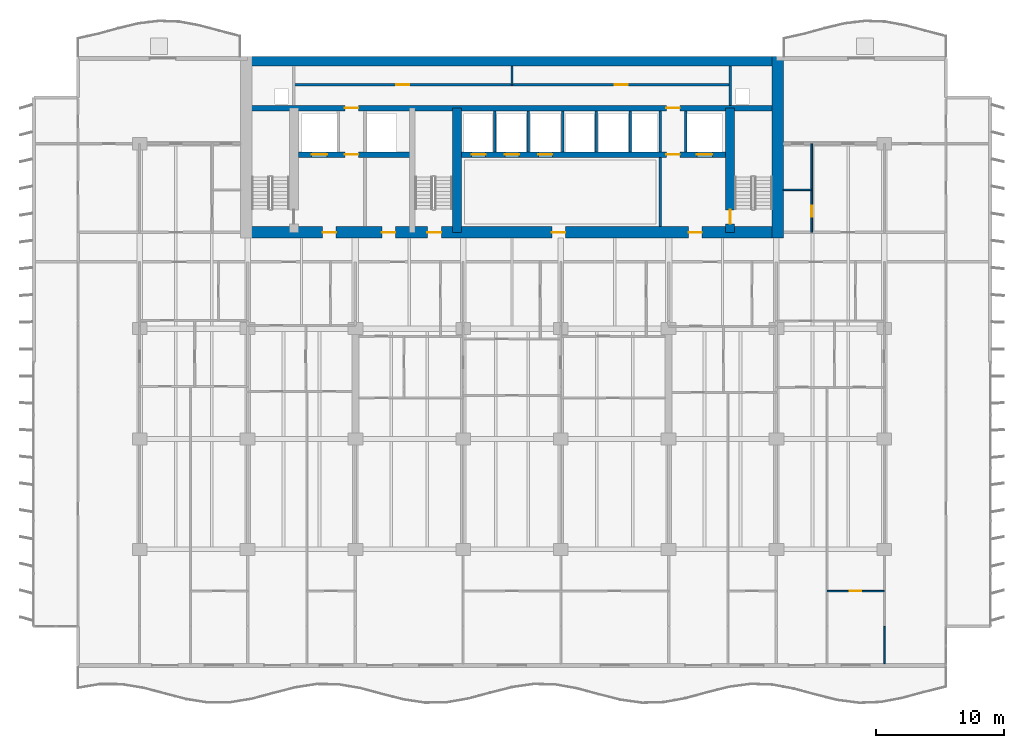
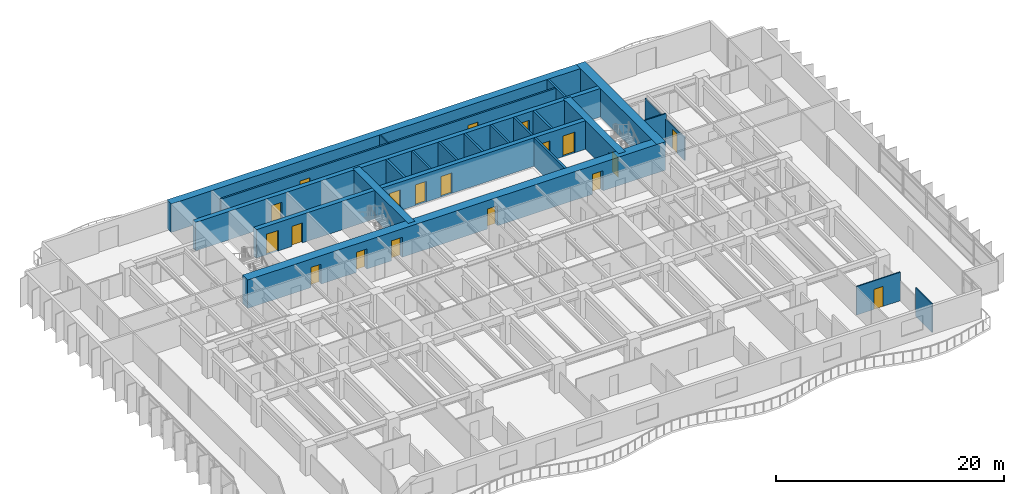
# One storey, part 11 of 17: 22 walls, 19 doors, 19 openings.
"""IFC4 building model written with IfcOpenShell, lengths in metres."""

from ifc_helpers import new_model, si_unit, direction, frame, frame_2d, origin, place, context, subcontext, project, spatial, rectangle, extrude, material, layer, layer_set, type_object, element, fill, save


model = new_model("IFC4")

# Units and contexts
model_context = context("Model", 3, precision=1e-05, world=origin(), true_north=direction((0.0, 1.0)))
body_context = subcontext(model_context, "Body", "Model", "MODEL_VIEW")
ifc_project = project(units=[si_unit("LENGTHUNIT", "METRE"), si_unit("AREAUNIT", "SQUARE_METRE"), si_unit("VOLUMEUNIT", "CUBIC_METRE"), si_unit("PLANEANGLEUNIT", "RADIAN"), si_unit("MASSUNIT", "GRAM", prefix="KILO")], contexts=[model_context])

# Site, building, storey
site_placement = place(None, origin())
site = spatial("IfcSite", under=ifc_project, at=site_placement, CompositionType="ELEMENT")
building_placement = place(site_placement, origin())
building = spatial("IfcBuilding", under=site, at=building_placement, Name="Caelmar Bay Residences", CompositionType="ELEMENT")
storey_placement = place(building_placement, frame((0.0, 0.0, 49.800048828125)))
storey = spatial("IfcBuildingStorey", under=building, at=storey_placement, Name="L12", CompositionType="ELEMENT", Elevation=49.800048828125)

# Wall, opening, door
ifc_material_1 = material(Name="Concrete f'c 55 MPa (8,000 psi)", Category="concrete")
ifc_layer_1 = layer(ifc_material_1, 0.699951171875)
ifc_layer_set_1 = layer_set([ifc_layer_1], Name="Concrete f'c 55 MPa (8,000 psi)")
wall_type_1 = type_object("IfcWallType", Name="SW-COR-700", PredefinedType="SHEAR", material=ifc_layer_set_1)
wall_1_placement = place(storey_placement, frame((55.89990234375, 36.89990234375, 0.0), z_axis=(0.0, 0.0, 1.0), x_axis=(0.0, 1.0, 0.0)))
wall_1 = element("IfcWall", 1, at=wall_1_placement, inside=storey, type_object=wall_type_1, Name="L12 Core Structural Web Wall ST2W", PredefinedType="SHEAR", context=body_context, shape_type="SweptSolid", body=[
    extrude(rectangle(XDim=9.675048828125, YDim=0.699951171875, at=frame_2d((4.83740234375, 0.0))), origin(), (0.0, 0.0, 1.0), 3.050048828125),
])
opening_1_placement = place(wall_1_placement, frame((0.64990234375, 0.0, 0.0)))
opening_1 = element("IfcOpeningElement", 2, at=opening_1_placement, cuts=wall_1, Name="Opening D-L12-111", PredefinedType="OPENING", context=body_context, shape_type="SweptSolid", body=[
    extrude(rectangle(XDim=1.10009765625, YDim=2.14990234375, at=frame_2d((0.550048828125, 1.074951171875))), frame((0.0, 0.35986328125, 0.0), z_axis=(0.0, -1.0, 0.0), x_axis=(1.0, 0.0, 0.0)), (0.0, 0.0, 1.0), 0.719970703125),
])
ifc_material_2 = material(Name="Fire-rated steel and walnut architectural door assembly", Category="steel")
ifc_layer_2 = layer(ifc_material_2, 0.050048828125)
ifc_layer_set_2 = layer_set([ifc_layer_2], Name="Fire-rated steel and walnut architectural door assembly")
door_type_1 = type_object("IfcDoorType", Name="D-STAIR-1100", OperationType="NOTDEFINED", PredefinedType="DOOR", material=ifc_layer_set_2)
door_1_placement = place(opening_1_placement, origin())
door_1 = element("IfcDoor", 3, at=door_1_placement, inside=storey, type_object=door_type_1, Name="L12 Firefighting Lobby East Door", OperationType="SINGLE_SWING_RIGHT", OverallHeight=2.14990234375, OverallWidth=1.10009765625, PredefinedType="DOOR", context=body_context, shape_type="SweptSolid", body=[
    extrude(rectangle(XDim=1.10009765625, YDim=2.14990234375, at=frame_2d((0.550048828125, 1.074951171875))), frame((0.0, 0.02490234375, 0.0), z_axis=(0.0, -1.0, 0.0), x_axis=(1.0, 0.0, 0.0)), (0.0, 0.0, 1.0), 0.050048828125),
])
fill(opening_1, door_1)

# Wall
wall_2_placement = place(storey_placement, frame((34.60009765625, 36.89990234375, 0.0), z_axis=(0.0, 0.0, 1.0), x_axis=(0.0, 1.0, 0.0)))
element("IfcWall", 4, at=wall_2_placement, inside=storey, type_object=wall_type_1, Name="L12 Core Structural Web Wall ST3E", PredefinedType="SHEAR", context=body_context, shape_type="SweptSolid", body=[
    extrude(rectangle(XDim=9.675048828125, YDim=0.699951171875, at=frame_2d((4.83740234375, 0.0))), origin(), (0.0, 0.0, 1.0), 3.050048828125),
])

# Wall, openings, doors
ifc_material_3 = material(Name="Concrete f'c 70 MPa (10,000 psi)", Category="concrete")
ifc_layer_3 = layer(ifc_material_3, 0.89990234375)
ifc_layer_set_3 = layer_set([ifc_layer_3], Name="Concrete f'c 70 MPa (10,000 psi)")
wall_type_2 = type_object("IfcWallType", Name="SW-COR-900", PredefinedType="SHEAR", material=ifc_layer_set_3)
wall_3_placement = place(storey_placement, frame((17.75, 36.89990234375, 0.0), z_axis=(0.0, 0.0, 1.0), x_axis=(1.0, 0.0, 0.0)))
wall_3 = element("IfcWall", 5, at=wall_3_placement, inside=storey, type_object=wall_type_2, Name="L12 Rear Core South Shear Wall", PredefinedType="SHEAR", context=body_context, shape_type="SweptSolid", body=[
    extrude(rectangle(XDim=42.300048828125, YDim=0.89990234375, at=frame_2d((21.14990234375, 0.0))), origin(), (0.0, 0.0, 1.0), 3.050048828125),
])
opening_2_placement = place(wall_3_placement, frame((14.550048828125, 0.0, 0.0)))
opening_2 = element("IfcOpeningElement", 6, at=opening_2_placement, cuts=wall_3, Name="Opening D-L12-106", PredefinedType="OPENING", context=body_context, shape_type="SweptSolid", body=[
    extrude(rectangle(XDim=1.10009765625, YDim=2.14990234375, at=frame_2d((0.550048828125, 1.074951171875))), frame((0.0, 0.4599609375, 0.0), z_axis=(0.0, -1.0, 0.0), x_axis=(1.0, 0.0, 0.0)), (0.0, 0.0, 1.0), 0.919921875),
])
opening_3_placement = place(wall_3_placement, frame((6.39990234375, 0.0, 0.0)))
opening_3 = element("IfcOpeningElement", 7, at=opening_3_placement, cuts=wall_3, Name="Opening D-L12-107", PredefinedType="OPENING", context=body_context, shape_type="SweptSolid", body=[
    extrude(rectangle(XDim=1.050048828125, YDim=2.14990234375, at=frame_2d((0.52490234375, 1.074951171875))), frame((0.0, 0.4599609375, 0.0), z_axis=(0.0, -1.0, 0.0), x_axis=(1.0, 0.0, 0.0)), (0.0, 0.0, 1.0), 0.919921875),
])
opening_4_placement = place(wall_3_placement, frame((34.89990234375, 0.0, 0.0)))
opening_4 = element("IfcOpeningElement", 8, at=opening_4_placement, cuts=wall_3, Name="Opening D-L12-110", PredefinedType="OPENING", context=body_context, shape_type="SweptSolid", body=[
    extrude(rectangle(XDim=1.050048828125, YDim=2.14990234375, at=frame_2d((0.52490234375, 1.074951171875))), frame((0.0, 0.4599609375, 0.0), z_axis=(0.0, -1.0, 0.0), x_axis=(1.0, 0.0, 0.0)), (0.0, 0.0, 1.0), 0.919921875),
])
opening_5_placement = place(wall_3_placement, frame((11.012451171875, 0.0, 0.0)))
opening_5 = element("IfcOpeningElement", 9, at=opening_5_placement, cuts=wall_3, Name="Opening D-L12-113", PredefinedType="OPENING", context=body_context, shape_type="SweptSolid", body=[
    extrude(rectangle(XDim=1.050048828125, YDim=2.14990234375, at=frame_2d((0.52490234375, 1.074951171875))), frame((0.0, 0.4599609375, 0.0), z_axis=(0.0, -1.0, 0.0), x_axis=(1.0, 0.0, 0.0)), (0.0, 0.0, 1.0), 0.919921875),
])
opening_6_placement = place(wall_3_placement, frame((24.25, 0.0, 0.0)))
opening_6 = element("IfcOpeningElement", 10, at=opening_6_placement, cuts=wall_3, Name="Opening D-L12-114", PredefinedType="OPENING", context=body_context, shape_type="SweptSolid", body=[
    extrude(rectangle(XDim=1.050048828125, YDim=2.14990234375, at=frame_2d((0.52490234375, 1.074951171875))), frame((0.0, 0.4599609375, 0.0), z_axis=(0.0, -1.0, 0.0), x_axis=(1.0, 0.0, 0.0)), (0.0, 0.0, 1.0), 0.919921875),
])
ifc_layer_4 = layer(ifc_material_2, 0.050048828125)
ifc_layer_set_4 = layer_set([ifc_layer_4], Name="Fire-rated steel and walnut architectural door assembly")
door_type_2 = type_object("IfcDoorType", Name="D-FSAE-1050", OperationType="NOTDEFINED", PredefinedType="DOOR", material=ifc_layer_set_4)
door_2_placement = place(opening_3_placement, origin())
door_2 = element("IfcDoor", 11, at=door_2_placement, inside=storey, type_object=door_type_2, Name="L12 Firefighting Lobby West Door", OperationType="SINGLE_SWING_RIGHT", OverallHeight=2.14990234375, OverallWidth=1.050048828125, PredefinedType="DOOR", context=body_context, shape_type="SweptSolid", body=[
    extrude(rectangle(XDim=1.050048828125, YDim=2.14990234375, at=frame_2d((0.52490234375, 1.074951171875))), frame((0.0, 0.02490234375, 0.0), z_axis=(0.0, -1.0, 0.0), x_axis=(1.0, 0.0, 0.0)), (0.0, 0.0, 1.0), 0.050048828125),
])
fill(opening_3, door_2)
door_3_placement = place(opening_4_placement, origin())
door_3 = element("IfcDoor", 12, at=door_3_placement, inside=storey, type_object=door_type_2, Name="L12 Firefighting Lobby East Door", OperationType="SINGLE_SWING_LEFT", OverallHeight=2.14990234375, OverallWidth=1.050048828125, PredefinedType="DOOR", context=body_context, shape_type="SweptSolid", body=[
    extrude(rectangle(XDim=1.050048828125, YDim=2.14990234375, at=frame_2d((0.52490234375, 1.074951171875))), frame((0.0, 0.02490234375, 0.0), z_axis=(0.0, -1.0, 0.0), x_axis=(1.0, 0.0, 0.0)), (0.0, 0.0, 1.0), 0.050048828125),
])
fill(opening_4, door_3)
door_4_placement = place(opening_5_placement, origin())
door_4 = element("IfcDoor", 13, at=door_4_placement, inside=storey, type_object=door_type_2, Name="L12 West Lift Lobby Door", OperationType="SINGLE_SWING_RIGHT", OverallHeight=2.14990234375, OverallWidth=1.050048828125, PredefinedType="DOOR", context=body_context, shape_type="SweptSolid", body=[
    extrude(rectangle(XDim=1.050048828125, YDim=2.14990234375, at=frame_2d((0.52490234375, 1.074951171875))), frame((0.0, 0.02490234375, 0.0), z_axis=(0.0, -1.0, 0.0), x_axis=(1.0, 0.0, 0.0)), (0.0, 0.0, 1.0), 0.050048828125),
])
fill(opening_5, door_4)
door_5_placement = place(opening_6_placement, origin())
door_5 = element("IfcDoor", 14, at=door_5_placement, inside=storey, type_object=door_type_2, Name="L12 Passenger Lift Lobby Door", OperationType="SINGLE_SWING_LEFT", OverallHeight=2.14990234375, OverallWidth=1.050048828125, PredefinedType="DOOR", context=body_context, shape_type="SweptSolid", body=[
    extrude(rectangle(XDim=1.050048828125, YDim=2.14990234375, at=frame_2d((0.52490234375, 1.074951171875))), frame((0.0, 0.02490234375, 0.0), z_axis=(0.0, -1.0, 0.0), x_axis=(1.0, 0.0, 0.0)), (0.0, 0.0, 1.0), 0.050048828125),
])
fill(opening_6, door_5)
door_6_placement = place(opening_2_placement, origin())
door_6 = element("IfcDoor", 15, at=door_6_placement, inside=storey, type_object=door_type_1, Name="L12 Exit Stair ST3 Door", OperationType="SINGLE_SWING_LEFT", OverallHeight=2.14990234375, OverallWidth=1.10009765625, PredefinedType="DOOR", context=body_context, shape_type="SweptSolid", body=[
    extrude(rectangle(XDim=1.10009765625, YDim=2.14990234375, at=frame_2d((0.550048828125, 1.074951171875))), frame((0.0, 0.02490234375, 0.0), z_axis=(0.0, -1.0, 0.0), x_axis=(1.0, 0.0, 0.0)), (0.0, 0.0, 1.0), 0.050048828125),
])
fill(opening_2, door_6)

# Walls
wall_4_placement = place(storey_placement, frame((59.60009765625, 36.449951171875, 0.0), z_axis=(0.0, 0.0, 1.0), x_axis=(0.0, 1.0, 0.0)))
element("IfcWall", 16, at=wall_4_placement, inside=storey, type_object=wall_type_2, Name="L12 Rear Core East Shear Wall", PredefinedType="SHEAR", context=body_context, shape_type="SweptSolid", body=[
    extrude(rectangle(XDim=14.150146484375, YDim=0.89990234375, at=frame_2d((7.0751953125, 0.0))), origin(), (0.0, 0.0, 1.0), 3.050048828125),
])
ifc_layer_5 = layer(ifc_material_3, 0.75)
ifc_layer_set_5 = layer_set([ifc_layer_5], Name="Concrete f'c 70 MPa (10,000 psi)")
wall_type_3 = type_object("IfcWallType", Name="SW-CORN-750", PredefinedType="SHEAR", material=ifc_layer_set_5)
wall_5_placement = place(storey_placement, frame((17.75, 50.22509765625, 0.0), z_axis=(0.0, 0.0, 1.0), x_axis=(1.0, 0.0, 0.0)))
element("IfcWall", 17, at=wall_5_placement, inside=storey, type_object=wall_type_3, Name="L12 Rear Core North Shear Wall", PredefinedType="SHEAR", context=body_context, shape_type="SweptSolid", body=[
    extrude(rectangle(XDim=42.300048828125, YDim=0.75, at=frame_2d((21.14990234375, 0.0))), origin(), (0.0, 0.0, 1.0), 3.050048828125),
])

# Wall, openings, doors
ifc_layer_6 = layer(ifc_material_3, 0.449951171875)
ifc_layer_set_6 = layer_set([ifc_layer_6], Name="Concrete f'c 70 MPa (10,000 psi)")
wall_type_4 = type_object("IfcWallType", Name="SW-WEB-450", PredefinedType="SHEAR", material=ifc_layer_set_6)
wall_6_placement = place(storey_placement, frame((22.25, 42.949951171875, 0.0), z_axis=(0.0, 0.0, 1.0), x_axis=(1.0, 0.0, 0.0)))
wall_6 = element("IfcWall", 18, at=wall_6_placement, inside=storey, type_object=wall_type_4, Name="L12 Core Structural Web Wall LFR", PredefinedType="SHEAR", context=body_context, shape_type="SweptSolid", body=[
    extrude(rectangle(XDim=33.300048828125, YDim=0.449951171875, at=frame_2d((16.64990234375, 0.0))), origin(), (0.0, 0.0, 1.0), 3.050048828125),
])
opening_7_placement = place(wall_6_placement, frame((1.050048828125, 0.0, 0.0)))
opening_7 = element("IfcOpeningElement", 19, at=opening_7_placement, cuts=wall_6, Name="Opening LD2", PredefinedType="OPENING", context=body_context, shape_type="SweptSolid", body=[
    extrude(rectangle(XDim=1.199951171875, YDim=2.199951171875, at=frame_2d((0.60009765625, 1.10009765625))), frame((0.0, 0.23486328125, 0.0), z_axis=(0.0, -1.0, 0.0), x_axis=(1.0, 0.0, 0.0)), (0.0, 0.0, 1.0), 0.469970703125),
])
opening_8_placement = place(wall_6_placement, frame((31.050048828125, 0.0, 0.0)))
opening_8 = element("IfcOpeningElement", 20, at=opening_8_placement, cuts=wall_6, Name="Opening LD2", PredefinedType="OPENING", context=body_context, shape_type="SweptSolid", body=[
    extrude(rectangle(XDim=1.199951171875, YDim=2.199951171875, at=frame_2d((0.60009765625, 1.10009765625))), frame((0.0, 0.23486328125, 0.0), z_axis=(0.0, -1.0, 0.0), x_axis=(1.0, 0.0, 0.0)), (0.0, 0.0, 1.0), 0.469970703125),
])
opening_9_placement = place(wall_6_placement, frame((13.5, 0.0, 0.0)))
opening_9 = element("IfcOpeningElement", 21, at=opening_9_placement, cuts=wall_6, Name="Opening LD1", PredefinedType="OPENING", context=body_context, shape_type="SweptSolid", body=[
    extrude(rectangle(XDim=1.10009765625, YDim=2.199951171875, at=frame_2d((0.550048828125, 1.10009765625))), frame((0.0, 0.23486328125, 0.0), z_axis=(0.0, -1.0, 0.0), x_axis=(1.0, 0.0, 0.0)), (0.0, 0.0, 1.0), 0.469970703125),
])
opening_10_placement = place(wall_6_placement, frame((16.10009765625, 0.0, 0.0)))
opening_10 = element("IfcOpeningElement", 22, at=opening_10_placement, cuts=wall_6, Name="Opening LD1", PredefinedType="OPENING", context=body_context, shape_type="SweptSolid", body=[
    extrude(rectangle(XDim=1.10009765625, YDim=2.199951171875, at=frame_2d((0.550048828125, 1.10009765625))), frame((0.0, 0.23486328125, 0.0), z_axis=(0.0, -1.0, 0.0), x_axis=(1.0, 0.0, 0.0)), (0.0, 0.0, 1.0), 0.469970703125),
])
opening_11_placement = place(wall_6_placement, frame((18.699951171875, 0.0, 0.0)))
opening_11 = element("IfcOpeningElement", 23, at=opening_11_placement, cuts=wall_6, Name="Opening LD1", PredefinedType="OPENING", context=body_context, shape_type="SweptSolid", body=[
    extrude(rectangle(XDim=1.10009765625, YDim=2.199951171875, at=frame_2d((0.550048828125, 1.10009765625))), frame((0.0, 0.23486328125, 0.0), z_axis=(0.0, -1.0, 0.0), x_axis=(1.0, 0.0, 0.0)), (0.0, 0.0, 1.0), 0.469970703125),
])
opening_12_placement = place(wall_6_placement, frame((3.625, 0.0, 0.0)))
opening_12 = element("IfcOpeningElement", 24, at=opening_12_placement, cuts=wall_6, Name="Opening D-L12-109", PredefinedType="OPENING", context=body_context, shape_type="SweptSolid", body=[
    extrude(rectangle(XDim=1.050048828125, YDim=2.14990234375, at=frame_2d((0.52490234375, 1.074951171875))), frame((0.0, 0.23486328125, 0.0), z_axis=(0.0, -1.0, 0.0), x_axis=(1.0, 0.0, 0.0)), (0.0, 0.0, 1.0), 0.469970703125),
])
opening_13_placement = place(wall_6_placement, frame((28.675048828125, 0.0, 0.0)))
opening_13 = element("IfcOpeningElement", 25, at=opening_13_placement, cuts=wall_6, Name="Opening D-L12-112", PredefinedType="OPENING", context=body_context, shape_type="SweptSolid", body=[
    extrude(rectangle(XDim=1.050048828125, YDim=2.14990234375, at=frame_2d((0.52490234375, 1.074951171875))), frame((0.0, 0.23486328125, 0.0), z_axis=(0.0, -1.0, 0.0), x_axis=(1.0, 0.0, 0.0)), (0.0, 0.0, 1.0), 0.469970703125),
])
door_7_placement = place(opening_12_placement, origin())
door_7 = element("IfcDoor", 26, at=door_7_placement, inside=storey, type_object=door_type_2, Name="L12 Firefighting Lobby West Door", OperationType="SINGLE_SWING_RIGHT", OverallHeight=2.14990234375, OverallWidth=1.050048828125, PredefinedType="DOOR", context=body_context, shape_type="SweptSolid", body=[
    extrude(rectangle(XDim=1.050048828125, YDim=2.14990234375, at=frame_2d((0.52490234375, 1.074951171875))), frame((0.0, 0.02490234375, 0.0), z_axis=(0.0, -1.0, 0.0), x_axis=(1.0, 0.0, 0.0)), (0.0, 0.0, 1.0), 0.050048828125),
])
fill(opening_12, door_7)
door_8_placement = place(opening_13_placement, origin())
door_8 = element("IfcDoor", 27, at=door_8_placement, inside=storey, type_object=door_type_2, Name="L12 Firefighting Lobby East Door", OperationType="SINGLE_SWING_LEFT", OverallHeight=2.14990234375, OverallWidth=1.050048828125, PredefinedType="DOOR", context=body_context, shape_type="SweptSolid", body=[
    extrude(rectangle(XDim=1.050048828125, YDim=2.14990234375, at=frame_2d((0.52490234375, 1.074951171875))), frame((0.0, 0.02490234375, 0.0), z_axis=(0.0, -1.0, 0.0), x_axis=(1.0, 0.0, 0.0)), (0.0, 0.0, 1.0), 0.050048828125),
])
fill(opening_13, door_8)
ifc_material_4 = material(Name="Brushed bronze stainless-steel fire-rated lift landing doors", Category="steel")
ifc_layer_7 = layer(ifc_material_4, 0.050048828125)
ifc_layer_set_7 = layer_set([ifc_layer_7], Name="Brushed bronze stainless-steel fire-rated lift landing doors")
door_type_3 = type_object("IfcDoorType", Name="D-LND-1100", OperationType="DOUBLE_DOOR_SLIDING", PredefinedType="DOOR", material=ifc_layer_set_7)
door_9_placement = place(opening_9_placement, origin())
door_9 = element("IfcDoor", 28, at=door_9_placement, inside=storey, type_object=door_type_3, Name="L12 LP1 Sliding Landing Door", OperationType="DOUBLE_DOOR_SLIDING", OverallHeight=2.199951171875, OverallWidth=1.10009765625, PredefinedType="DOOR", context=body_context, shape_type="SweptSolid", body=[
    extrude(rectangle(XDim=1.10009765625, YDim=2.199951171875, at=frame_2d((0.550048828125, 1.10009765625))), frame((0.0, 0.02490234375, 0.0), z_axis=(0.0, -1.0, 0.0), x_axis=(1.0, 0.0, 0.0)), (0.0, 0.0, 1.0), 0.050048828125),
])
fill(opening_9, door_9)
door_10_placement = place(opening_10_placement, origin())
door_10 = element("IfcDoor", 29, at=door_10_placement, inside=storey, type_object=door_type_3, Name="L12 LP2 Sliding Landing Door", OperationType="DOUBLE_DOOR_SLIDING", OverallHeight=2.199951171875, OverallWidth=1.10009765625, PredefinedType="DOOR", context=body_context, shape_type="SweptSolid", body=[
    extrude(rectangle(XDim=1.10009765625, YDim=2.199951171875, at=frame_2d((0.550048828125, 1.10009765625))), frame((0.0, 0.02490234375, 0.0), z_axis=(0.0, -1.0, 0.0), x_axis=(1.0, 0.0, 0.0)), (0.0, 0.0, 1.0), 0.050048828125),
])
fill(opening_10, door_10)
door_11_placement = place(opening_11_placement, origin())
door_11 = element("IfcDoor", 30, at=door_11_placement, inside=storey, type_object=door_type_3, Name="L12 LP3 Sliding Landing Door", OperationType="DOUBLE_DOOR_SLIDING", OverallHeight=2.199951171875, OverallWidth=1.10009765625, PredefinedType="DOOR", context=body_context, shape_type="SweptSolid", body=[
    extrude(rectangle(XDim=1.10009765625, YDim=2.199951171875, at=frame_2d((0.550048828125, 1.10009765625))), frame((0.0, 0.02490234375, 0.0), z_axis=(0.0, -1.0, 0.0), x_axis=(1.0, 0.0, 0.0)), (0.0, 0.0, 1.0), 0.050048828125),
])
fill(opening_11, door_11)
ifc_material_5 = material(Name="Brushed stainless-steel FSAE sliding landing door", Category="steel")
ifc_layer_8 = layer(ifc_material_5, 0.050048828125)
ifc_layer_set_8 = layer_set([ifc_layer_8], Name="Brushed stainless-steel FSAE sliding landing door")
door_type_4 = type_object("IfcDoorType", Name="D-LND-1200", OperationType="DOUBLE_DOOR_SLIDING", PredefinedType="DOOR", material=ifc_layer_set_8)
door_12_placement = place(opening_7_placement, origin())
door_12 = element("IfcDoor", 31, at=door_12_placement, inside=storey, type_object=door_type_4, Name="L12 LF1 Sliding Landing Door", OperationType="DOUBLE_DOOR_SLIDING", OverallHeight=2.199951171875, OverallWidth=1.199951171875, PredefinedType="DOOR", context=body_context, shape_type="SweptSolid", body=[
    extrude(rectangle(XDim=1.199951171875, YDim=2.199951171875, at=frame_2d((0.60009765625, 1.10009765625))), frame((0.0, 0.02490234375, 0.0), z_axis=(0.0, -1.0, 0.0), x_axis=(1.0, 0.0, 0.0)), (0.0, 0.0, 1.0), 0.050048828125),
])
fill(opening_7, door_12)
door_13_placement = place(opening_8_placement, origin())
door_13 = element("IfcDoor", 32, at=door_13_placement, inside=storey, type_object=door_type_4, Name="L12 LF2 Sliding Landing Door", OperationType="DOUBLE_DOOR_SLIDING", OverallHeight=2.199951171875, OverallWidth=1.199951171875, PredefinedType="DOOR", context=body_context, shape_type="SweptSolid", body=[
    extrude(rectangle(XDim=1.199951171875, YDim=2.199951171875, at=frame_2d((0.60009765625, 1.10009765625))), frame((0.0, 0.02490234375, 0.0), z_axis=(0.0, -1.0, 0.0), x_axis=(1.0, 0.0, 0.0)), (0.0, 0.0, 1.0), 0.050048828125),
])
fill(opening_8, door_13)

wall_7_placement = place(storey_placement, frame((18.199951171875, 46.574951171875, 0.0), z_axis=(0.0, 0.0, 1.0), x_axis=(1.0, 0.0, 0.0)))
wall_7 = element("IfcWall", 33, at=wall_7_placement, inside=storey, type_object=wall_type_4, Name="L12 Core Structural Web Wall SRVS", PredefinedType="SHEAR", context=body_context, shape_type="SweptSolid", body=[
    extrude(rectangle(XDim=41.400146484375, YDim=0.449951171875, at=frame_2d((20.7001953125, 0.0))), origin(), (0.0, 0.0, 1.0), 3.050048828125),
])
opening_14_placement = place(wall_7_placement, frame((7.675048828125, 0.0, 0.0)))
opening_14 = element("IfcOpeningElement", 34, at=opening_14_placement, cuts=wall_7, Name="Opening D-L12-115", PredefinedType="OPENING", context=body_context, shape_type="SweptSolid", body=[
    extrude(rectangle(XDim=1.050048828125, YDim=2.14990234375, at=frame_2d((0.52490234375, 1.074951171875))), frame((0.0, 0.23486328125, 0.0), z_axis=(0.0, -1.0, 0.0), x_axis=(1.0, 0.0, 0.0)), (0.0, 0.0, 1.0), 0.469970703125),
])
opening_15_placement = place(wall_7_placement, frame((32.72509765625, 0.0, 0.0)))
opening_15 = element("IfcOpeningElement", 35, at=opening_15_placement, cuts=wall_7, Name="Opening D-L12-116", PredefinedType="OPENING", context=body_context, shape_type="SweptSolid", body=[
    extrude(rectangle(XDim=1.050048828125, YDim=2.14990234375, at=frame_2d((0.52490234375, 1.074951171875))), frame((0.0, 0.23486328125, 0.0), z_axis=(0.0, -1.0, 0.0), x_axis=(1.0, 0.0, 0.0)), (0.0, 0.0, 1.0), 0.469970703125),
])
door_14_placement = place(opening_14_placement, origin())
door_14 = element("IfcDoor", 36, at=door_14_placement, inside=storey, type_object=door_type_2, Name="L12 Core Service Corridor Door", OperationType="SINGLE_SWING_RIGHT", OverallHeight=2.14990234375, OverallWidth=1.050048828125, PredefinedType="DOOR", context=body_context, shape_type="SweptSolid", body=[
    extrude(rectangle(XDim=1.050048828125, YDim=2.14990234375, at=frame_2d((0.52490234375, 1.074951171875))), frame((0.0, 0.02490234375, 0.0), z_axis=(0.0, -1.0, 0.0), x_axis=(1.0, 0.0, 0.0)), (0.0, 0.0, 1.0), 0.050048828125),
])
fill(opening_14, door_14)
door_15_placement = place(opening_15_placement, origin())
door_15 = element("IfcDoor", 37, at=door_15_placement, inside=storey, type_object=door_type_2, Name="L12 Core Service Corridor Door", OperationType="SINGLE_SWING_LEFT", OverallHeight=2.14990234375, OverallWidth=1.050048828125, PredefinedType="DOOR", context=body_context, shape_type="SweptSolid", body=[
    extrude(rectangle(XDim=1.050048828125, YDim=2.14990234375, at=frame_2d((0.52490234375, 1.074951171875))), frame((0.0, 0.02490234375, 0.0), z_axis=(0.0, -1.0, 0.0), x_axis=(1.0, 0.0, 0.0)), (0.0, 0.0, 1.0), 0.050048828125),
])
fill(opening_15, door_15)

ifc_material_6 = material(Name="Double-stud acoustic fire-rated gypsum partition 180 mm")
ifc_layer_9 = layer(ifc_material_6, 0.179931640625)
ifc_layer_set_9 = layer_set([ifc_layer_9], Name="Double-stud acoustic fire-rated gypsum partition 180 mm")
wall_type_5 = type_object("IfcWallType", Name="W-COR-200", PredefinedType="PARTITIONING", material=ifc_layer_set_9)
wall_8_placement = place(storey_placement, frame((21.89990234375, 48.39990234375, 0.0), z_axis=(0.0, 0.0, 1.0), x_axis=(1.0, 0.0, 0.0)))
wall_8 = element("IfcWall", 38, at=wall_8_placement, inside=storey, type_object=wall_type_5, Name="L12 Partition Wall H141", PredefinedType="PARTITIONING", context=body_context, shape_type="SweptSolid", body=[
    extrude(rectangle(XDim=34.0, YDim=0.179931640625, at=frame_2d((17.0, 0.0))), origin(), (0.0, 0.0, 1.0), 3.050048828125),
])
opening_16_placement = place(wall_8_placement, frame((8.0, 0.0, 0.0)))
opening_16 = element("IfcOpeningElement", 39, at=opening_16_placement, cuts=wall_8, Name="Opening D-L12-117", PredefinedType="OPENING", context=body_context, shape_type="SweptSolid", body=[
    extrude(rectangle(XDim=1.0, YDim=2.199951171875, at=frame_2d((0.5, 1.10009765625))), frame((0.0, 0.099853515625, 0.0), z_axis=(0.0, -1.0, 0.0), x_axis=(1.0, 0.0, 0.0)), (0.0, 0.0, 1.0), 0.199951171875),
])
opening_17_placement = place(wall_8_placement, frame((25.0, 0.0, 0.0)))
opening_17 = element("IfcOpeningElement", 40, at=opening_17_placement, cuts=wall_8, Name="Opening D-L12-118", PredefinedType="OPENING", context=body_context, shape_type="SweptSolid", body=[
    extrude(rectangle(XDim=1.0, YDim=2.199951171875, at=frame_2d((0.5, 1.10009765625))), frame((0.0, 0.099853515625, 0.0), z_axis=(0.0, -1.0, 0.0), x_axis=(1.0, 0.0, 0.0)), (0.0, 0.0, 1.0), 0.199951171875),
])
ifc_layer_10 = layer(ifc_material_2, 0.050048828125)
ifc_layer_set_10 = layer_set([ifc_layer_10], Name="Fire-rated steel and walnut architectural door assembly")
door_type_5 = type_object("IfcDoorType", Name="D-UNIT-1000", OperationType="NOTDEFINED", PredefinedType="DOOR", material=ifc_layer_set_10)
door_16_placement = place(opening_16_placement, origin())
door_16 = element("IfcDoor", 41, at=door_16_placement, inside=storey, type_object=door_type_5, Name="L12 Building Management Office Door", OperationType="SINGLE_SWING_RIGHT", OverallHeight=2.199951171875, OverallWidth=1.0, PredefinedType="DOOR", context=body_context, shape_type="SweptSolid", body=[
    extrude(rectangle(XDim=1.0, YDim=2.199951171875, at=frame_2d((0.5, 1.10009765625))), frame((0.0, 0.02490234375, 0.0), z_axis=(0.0, -1.0, 0.0), x_axis=(1.0, 0.0, 0.0)), (0.0, 0.0, 1.0), 0.050048828125),
])
fill(opening_16, door_16)
door_17_placement = place(opening_17_placement, origin())
door_17 = element("IfcDoor", 42, at=door_17_placement, inside=storey, type_object=door_type_5, Name="L12 Concierge Operations Office Door", OperationType="SINGLE_SWING_LEFT", OverallHeight=2.199951171875, OverallWidth=1.0, PredefinedType="DOOR", context=body_context, shape_type="SweptSolid", body=[
    extrude(rectangle(XDim=1.0, YDim=2.199951171875, at=frame_2d((0.5, 1.10009765625))), frame((0.0, 0.02490234375, 0.0), z_axis=(0.0, -1.0, 0.0), x_axis=(1.0, 0.0, 0.0)), (0.0, 0.0, 1.0), 0.050048828125),
])
fill(opening_17, door_17)

# Walls
ifc_material_7 = material(Name="Fire-rated masonry and gypsum shaftliner assembly 200 mm", Category="masonry")
ifc_layer_11 = layer(ifc_material_7, 0.199951171875)
ifc_layer_set_11 = layer_set([ifc_layer_11], Name="Fire-rated masonry and gypsum shaftliner assembly 200 mm")
wall_type_6 = type_object("IfcWallType", Name="W-FSAE-200", PredefinedType="PARTITIONING", material=ifc_layer_set_11)
for number, where, z_axis, x_axis, name in (
    (43, (37.550048828125, 43.169921875, 0.0), (0.0, 0.0, 1.0), (0.0, 1.0, 0.0), "L12 Partition Wall V054"),
    (44, (40.14990234375, 43.169921875, 0.0), (0.0, 0.0, 1.0), (0.0, 1.0, 0.0), "L12 Partition Wall V056"),
    (45, (42.85009765625, 43.169921875, 0.0), (0.0, 0.0, 1.0), (0.0, 1.0, 0.0), "L12 Partition Wall V066"),
    (46, (45.449951171875, 43.169921875, 0.0), (0.0, 0.0, 1.0), (0.0, 1.0, 0.0), "L12 Partition Wall V067"),
    (47, (48.10009765625, 43.169921875, 0.0), (0.0, 0.0, 1.0), (0.0, 1.0, 0.0), "L12 Partition Wall V068"),
):
    element("IfcWall", number, at=place(storey_placement, frame(where, z_axis=z_axis, x_axis=x_axis)), inside=storey, type_object=wall_type_6, Name=name, PredefinedType="PARTITIONING", context=body_context, shape_type="SweptSolid", body=[
        extrude(rectangle(XDim=3.18505859375, YDim=0.199951171875, at=frame_2d((1.592529296875, 0.0))), origin(), (0.0, 0.0, 1.0), 3.050048828125),
    ])
wall_9_placement = place(storey_placement, frame((50.449951171875, 37.344970703125, 0.0), z_axis=(0.0, 0.0, 1.0), x_axis=(0.0, 1.0, 0.0)))
element("IfcWall", 48, at=wall_9_placement, inside=storey, type_object=wall_type_6, Name="L12 Partition Wall V072", PredefinedType="PARTITIONING", context=body_context, shape_type="SweptSolid", body=[
    extrude(rectangle(XDim=5.385009765625, YDim=0.199951171875, at=frame_2d((2.6923828125, 0.0))), origin(), (0.0, 0.0, 1.0), 3.050048828125),
])
for number, where, z_axis, x_axis, name in (
    (49, (50.449951171875, 43.169921875, 0.0), (0.0, 0.0, 1.0), (0.0, 1.0, 0.0), "L12 Partition Wall V073"),
    (50, (52.449951171875, 43.169921875, 0.0), (0.0, 0.0, 1.0), (0.0, 1.0, 0.0), "L12 Partition Wall V078"),
):
    element("IfcWall", number, at=place(storey_placement, frame(where, z_axis=z_axis, x_axis=x_axis)), inside=storey, type_object=wall_type_6, Name=name, PredefinedType="PARTITIONING", context=body_context, shape_type="SweptSolid", body=[
        extrude(rectangle(XDim=3.18505859375, YDim=0.199951171875, at=frame_2d((1.592529296875, 0.0))), origin(), (0.0, 0.0, 1.0), 3.050048828125),
    ])
wall_10_placement = place(storey_placement, frame((55.89990234375, 46.794921875, 0.0), z_axis=(0.0, 0.0, 1.0), x_axis=(0.0, 1.0, 0.0)))
element("IfcWall", 51, at=wall_10_placement, inside=storey, type_object=wall_type_6, Name="L12 Partition Wall V083", PredefinedType="PARTITIONING", context=body_context, shape_type="SweptSolid", body=[
    extrude(rectangle(XDim=3.06005859375, YDim=0.199951171875, at=frame_2d((1.530029296875, 0.0))), origin(), (0.0, 0.0, 1.0), 3.050048828125),
])
ifc_material_8 = material(Name="Acoustic metal-stud gypsum partition 120 mm")
ifc_layer_12 = layer(ifc_material_8, 0.1201171875)
ifc_layer_set_12 = layer_set([ifc_layer_12], Name="Acoustic metal-stud gypsum partition 120 mm")
wall_type_7 = type_object("IfcWallType", Name="W-PRT-120", PredefinedType="PARTITIONING", material=ifc_layer_set_12)
wall_11_placement = place(storey_placement, frame((38.89990234375, 48.39990234375, 0.0), z_axis=(0.0, 0.0, 1.0), x_axis=(0.0, 1.0, 0.0)))
element("IfcWall", 52, at=wall_11_placement, inside=storey, type_object=wall_type_7, Name="L12 Partition Wall V055", PredefinedType="PARTITIONING", context=body_context, shape_type="SweptSolid", body=[
    extrude(rectangle(XDim=1.455078125, YDim=0.1201171875, at=frame_2d((0.7275390625, 0.0))), origin(), (0.0, 0.0, 1.0), 3.050048828125),
])

# Wall, opening, door
wall_12_placement = place(storey_placement, frame((62.25, 36.89990234375, 0.0), z_axis=(0.0, 0.0, 1.0), x_axis=(0.0, 1.0, 0.0)))
wall_12 = element("IfcWall", 53, at=wall_12_placement, inside=storey, type_object=wall_type_7, Name="L12 Partition Wall V092", PredefinedType="PARTITIONING", context=body_context, shape_type="SweptSolid", body=[
    extrude(rectangle(XDim=6.900146484375, YDim=0.1201171875, at=frame_2d((3.4501953125, 0.0))), origin(), (0.0, 0.0, 1.0), 2.48583984375),
])
opening_18_placement = place(wall_12_placement, frame((1.23095703125, 0.0, 0.0)))
opening_18 = element("IfcOpeningElement", 54, at=opening_18_placement, cuts=wall_12, Name="Opening D-L12-176", PredefinedType="OPENING", context=body_context, shape_type="SweptSolid", body=[
    extrude(rectangle(XDim=0.85009765625, YDim=2.10009765625, at=frame_2d((0.425048828125, 1.050048828125))), frame((0.0, 0.070068359375, 0.0), z_axis=(0.0, -1.0, 0.0), x_axis=(1.0, 0.0, 0.0)), (0.0, 0.0, 1.0), 0.14013671875),
])
ifc_material_9 = material(Name="Solid walnut timber interior door leaf and frame", Category="wood")
ifc_layer_13 = layer(ifc_material_9, 0.050048828125)
ifc_layer_set_13 = layer_set([ifc_layer_13], Name="Solid walnut timber interior door leaf and frame")
door_type_6 = type_object("IfcDoorType", Name="D-BATH-850", OperationType="NOTDEFINED", PredefinedType="DOOR", material=ifc_layer_set_13)
door_18_placement = place(opening_18_placement, origin())
door_18 = element("IfcDoor", 55, at=door_18_placement, inside=storey, type_object=door_type_6, Name="L12 Residence EA Walk-In Closet Door", OperationType="SINGLE_SWING_LEFT", OverallHeight=2.10009765625, OverallWidth=0.85009765625, PredefinedType="DOOR", context=body_context, shape_type="SweptSolid", body=[
    extrude(rectangle(XDim=0.85009765625, YDim=2.10009765625, at=frame_2d((0.425048828125, 1.050048828125))), frame((0.0, 0.02490234375, 0.0), z_axis=(0.0, -1.0, 0.0), x_axis=(1.0, 0.0, 0.0)), (0.0, 0.0, 1.0), 0.050048828125),
])
fill(opening_18, door_18)

# Wall
wall_13_placement = place(storey_placement, frame((67.89990234375, 3.294921875, 0.0), z_axis=(0.0, 0.0, 1.0), x_axis=(0.0, 1.0, 0.0)))
element("IfcWall", 56, at=wall_13_placement, inside=storey, type_object=wall_type_7, Name="L12 Partition Wall V099", PredefinedType="PARTITIONING", context=body_context, shape_type="SweptSolid", body=[
    extrude(rectangle(XDim=2.905029296875, YDim=0.1201171875, at=frame_2d((1.45263671875, 0.0))), origin(), (0.0, 0.0, 1.0), 3.050048828125),
])

# Wall, opening, door
wall_14_placement = place(storey_placement, frame((63.447998046875, 8.949951171875, 0.0), z_axis=(0.0, 0.0, 1.0), x_axis=(1.0, 0.0, 0.0)))
wall_14 = element("IfcWall", 57, at=wall_14_placement, inside=storey, type_object=wall_type_7, Name="L12 Partition Wall H117", PredefinedType="PARTITIONING", context=body_context, shape_type="SweptSolid", body=[
    extrude(rectangle(XDim=4.451904296875, YDim=0.1201171875, at=frame_2d((2.22607421875, 0.0))), origin(), (0.0, 0.0, 1.0), 3.050048828125),
])
opening_19_placement = place(wall_14_placement, frame((1.77587890625, 0.0, 0.0)))
opening_19 = element("IfcOpeningElement", 58, at=opening_19_placement, cuts=wall_14, Name="Opening D-L12-162", PredefinedType="OPENING", context=body_context, shape_type="SweptSolid", body=[
    extrude(rectangle(XDim=0.89990234375, YDim=2.14990234375, at=frame_2d((0.449951171875, 1.074951171875))), frame((0.0, 0.070068359375, 0.0), z_axis=(0.0, -1.0, 0.0), x_axis=(1.0, 0.0, 0.0)), (0.0, 0.0, 1.0), 0.14013671875),
])
ifc_layer_14 = layer(ifc_material_9, 0.050048828125)
ifc_layer_set_14 = layer_set([ifc_layer_14], Name="Solid walnut timber interior door leaf and frame")
door_type_7 = type_object("IfcDoorType", Name="D-ROOM-900", OperationType="NOTDEFINED", PredefinedType="DOOR", material=ifc_layer_set_14)
door_19_placement = place(opening_19_placement, origin())
door_19 = element("IfcDoor", 59, at=door_19_placement, inside=storey, type_object=door_type_7, Name="L12 Residence 05 Primary Bedroom Door", OperationType="SINGLE_SWING_LEFT", OverallHeight=2.14990234375, OverallWidth=0.89990234375, PredefinedType="DOOR", context=body_context, shape_type="SweptSolid", body=[
    extrude(rectangle(XDim=0.89990234375, YDim=2.14990234375, at=frame_2d((0.449951171875, 1.074951171875))), frame((0.0, 0.02490234375, 0.0), z_axis=(0.0, -1.0, 0.0), x_axis=(1.0, 0.0, 0.0)), (0.0, 0.0, 1.0), 0.050048828125),
])
fill(opening_19, door_19)

# Wall
wall_15_placement = place(storey_placement, frame((60.044921875, 40.2119140625, 0.0), z_axis=(0.0, 0.0, 1.0), x_axis=(1.0, 0.0, 0.0)))
element("IfcWall", 60, at=wall_15_placement, inside=storey, type_object=wall_type_7, Name="L12 Partition Wall H138", PredefinedType="PARTITIONING", context=body_context, shape_type="SweptSolid", body=[
    extrude(rectangle(XDim=2.205078125, YDim=0.1201171875, at=frame_2d((1.1025390625, 0.0))), origin(), (0.0, 0.0, 1.0), 3.050048828125),
])

save(model, "model.ifc")
